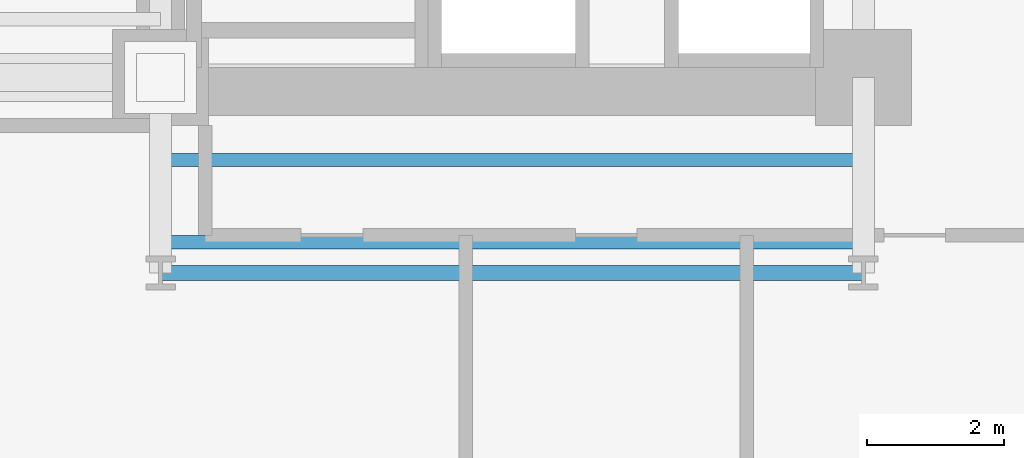
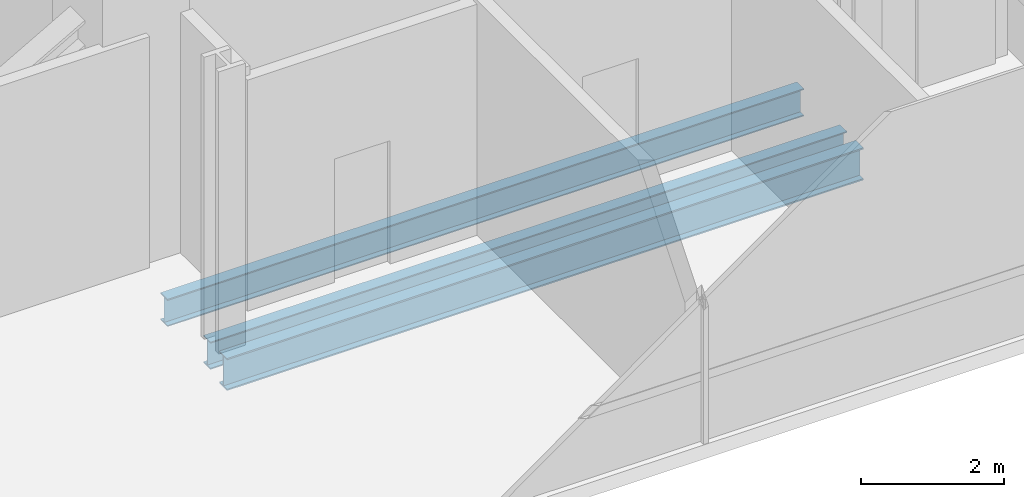
# One storey, part 4 of 39: 3 beams.
"""IFC4 building model written with IfcOpenShell, lengths in metres."""

from ifc_helpers import new_model, si_unit, direction, frame, origin, origin_2d, place, context, subcontext, project, spatial, i_section, extrude, source, transform, mapped, material, material_profile, profile_set, type_object, element, save


model = new_model("IFC4")

# Units and contexts
model_context = context("Model", 3, precision=1e-05, world=origin(), true_north=direction((0.0, 1.0)))
body_context = subcontext(model_context, "Body", "Model", "MODEL_VIEW")
ifc_project = project(units=[si_unit("LENGTHUNIT", "METRE"), si_unit("AREAUNIT", "SQUARE_METRE"), si_unit("VOLUMEUNIT", "CUBIC_METRE"), si_unit("PLANEANGLEUNIT", "RADIAN"), si_unit("MASSUNIT", "GRAM", prefix="KILO")], contexts=[model_context])

# Site, building, storey
site_placement = place(None, origin())
site = spatial("IfcSite", under=ifc_project, at=site_placement, CompositionType="ELEMENT")
building_placement = place(site_placement, origin())
building = spatial("IfcBuilding", under=site, at=building_placement, Name="Valdorenza Pilgrim Sanctuary Tower", CompositionType="ELEMENT")
storey_placement = place(building_placement, frame((0.0, 0.0, 96.300048828125)))
storey = spatial("IfcBuildingStorey", under=building, at=storey_placement, Name="L24", CompositionType="ELEMENT", Elevation=96.300048828125)

# Beams
ifc_material = material(Name="Steel ASTM A992 Grade 50", Category="steel")
ifc_material_profile_1 = material_profile(ifc_material, i_section(OverallWidth=0.214111328125, OverallDepth=0.549072265625, WebThickness=0.0146484375, FlangeThickness=0.023681640625, at=origin_2d()), Name="W21X93")
ifc_profile_set_1 = profile_set([ifc_material_profile_1], Name="Steel ASTM A992 Grade 50")
beam_type_1 = type_object("IfcBeamType", Name="STR-BM-SPN-W21A", PredefinedType="SPANDREL", material=ifc_profile_set_1)
shared_shape_1 = source(origin(), body_context, "Body", "SweptSolid", [
    extrude(i_section(OverallWidth=0.214111328125, OverallDepth=0.549072265625, WebThickness=0.0146484375, FlangeThickness=0.023681640625, at=origin_2d()), origin(), (0.0, 0.0, 1.0), 10.25),
])
beam_placement = place(storey_placement, frame((-22.64990234375, -13.449951171875, -0.5146484375), z_axis=(1.0, 0.0, 0.0), x_axis=(0.0, 1.0, 0.0)))
element("IfcBeam", 1, at=beam_placement, inside=storey, type_object=beam_type_1, Name="L24 South Spandrel WA-S-TIE", PredefinedType="SPANDREL", context=body_context, shape_type="MappedRepresentation", body=[
    mapped(shared_shape_1, transform((0.0, 0.0, 0.0), x_axis=(1.0, 0.0, 0.0), y_axis=(0.0, 1.0, 0.0), z_axis=(0.0, 0.0, 1.0), scale=1.0)),
])
ifc_material_profile_2 = material_profile(ifc_material, i_section(OverallWidth=0.193115234375, OverallDepth=0.466064453125, WebThickness=0.011474609375, FlangeThickness=0.01904296875, at=origin_2d()), Name="W18X65")
ifc_profile_set_2 = profile_set([ifc_material_profile_2], Name="Steel ASTM A992 Grade 50")
beam_type_2 = type_object("IfcBeamType", Name="STR-BM-JST-W18A", PredefinedType="JOIST", material=ifc_profile_set_2)
shared_shape_2 = source(origin(), body_context, "Body", "SweptSolid", [
    extrude(i_section(OverallWidth=0.193115234375, OverallDepth=0.466064453125, WebThickness=0.011474609375, FlangeThickness=0.01904296875, at=origin_2d()), origin(), (0.0, 0.0, 1.0), 10.25),
])
for number, where, z_axis, x_axis, name in (
    (2, (-22.64990234375, -13.0, -0.47314453125), (1.0, 0.0, 0.0), (0.0, 1.0, 0.0), "L24 Composite Floor Joist JST-WAS-1"),
    (3, (-22.64990234375, -11.800048828125, -0.47314453125), (1.0, 0.0, 0.0), (0.0, 1.0, 0.0), "L24 Composite Floor Joist JST-WAS-2"),
):
    element("IfcBeam", number, at=place(storey_placement, frame(where, z_axis=z_axis, x_axis=x_axis)), inside=storey, type_object=beam_type_2, Name=name, PredefinedType="JOIST", context=body_context, shape_type="MappedRepresentation", body=[
        mapped(shared_shape_2, transform((0.0, 0.0, 0.0), x_axis=(1.0, 0.0, 0.0), y_axis=(0.0, 1.0, 0.0), z_axis=(0.0, 0.0, 1.0), scale=1.0)),
    ])

save(model, "model.ifc")
